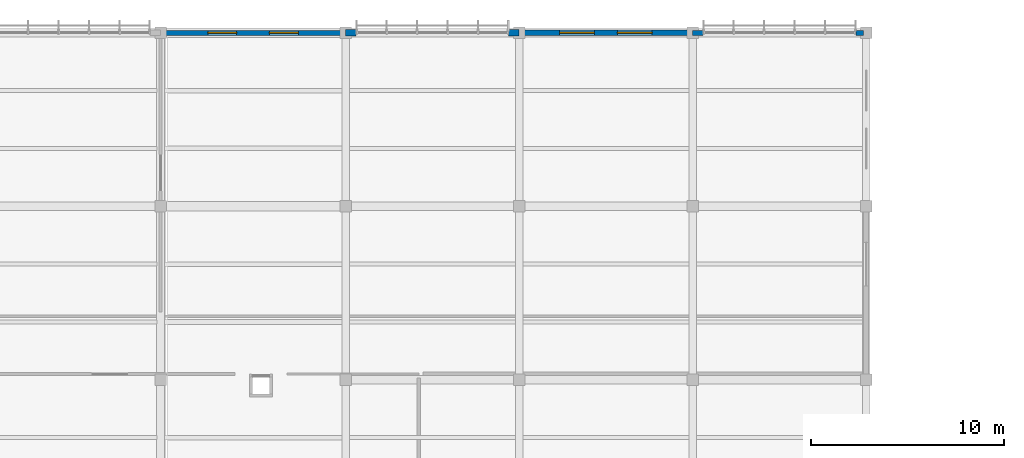
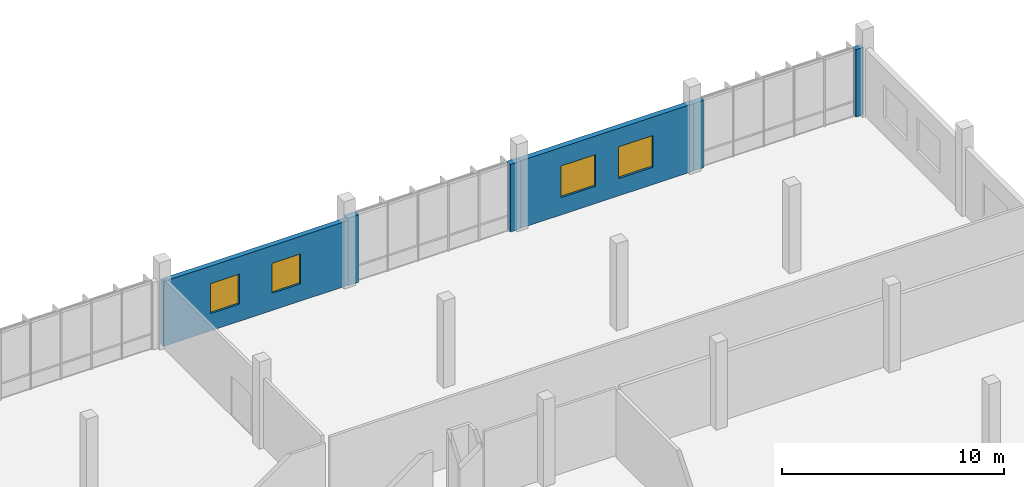
# One storey, part 162 of 177: 6 walls, 4 windows, 4 openings.
"""IFC4 building model written with IfcOpenShell, lengths in metres."""

import ifcopenshell
import ifcopenshell.guid

model = None  # the IFC model being written
_history = None  # IfcOwnerHistory: only IFC2X3 demands one
_inside = {}  # id of a spatial element -> (the spatial element, [elements in it])
_under = {}  # id of a project, library or spatial element -> (it, [spatial elements below it])
_declared = {}  # id of a project -> (the project, [libraries it declares])
_typed = {}  # id of a type object -> (the type object, [elements of that type])
_made_of = {}  # id of a material, layer set ... -> (it, [elements and type objects made of it])


def new_model(schema):
    """Start an empty IFC model of exactly this schema.

    Asked for "IFC4X3", IfcOpenShell would pick the latest addendum, in which some entities
    have other attributes; the version numbers below select the first issue.
    IFC2X3 requires an IfcOwnerHistory on every rooted entity: one is made here for all.
    """
    global model, _history
    if schema == "IFC4X3":
        model = ifcopenshell.file(schema_version=(4, 3, 0, 0))
    else:
        model = ifcopenshell.file(schema=schema)
    _inside.clear()
    _under.clear()
    _declared.clear()
    _typed.clear()
    _made_of.clear()
    _history = None
    if model.schema == "IFC2X3":
        org = make("IfcOrganization", Name="unknown")
        user = make(
            "IfcPersonAndOrganization",
            ThePerson=make("IfcPerson", FamilyName="unknown"),
            TheOrganization=org,
        )
        app = make(
            "IfcApplication",
            ApplicationDeveloper=org,
            Version="unknown",
            ApplicationFullName="unknown",
            ApplicationIdentifier="unknown",
        )
        _history = make(
            "IfcOwnerHistory",
            OwningUser=user,
            OwningApplication=app,
            ChangeAction="ADDED",
            CreationDate=0,
        )
    return model


def make(cls, **values):
    """One entity of the class cls with the attributes given. An attribute that is None is left unset."""
    return model.create_entity(
        cls, **{name: value for name, value in values.items() if value is not None}
    )


def rooted(cls, **values):
    """An entity with a GlobalId (a new one), such as an element, a storey or a relation."""
    return make(cls, GlobalId=ifcopenshell.guid.new(), OwnerHistory=_history, **values)


def si_unit(unit_type, name, prefix=None):
    """IfcSIUnit, for example si_unit("LENGTHUNIT", "METRE", prefix="MILLI")."""
    return make("IfcSIUnit", UnitType=unit_type, Prefix=prefix, Name=name)


def assignment(units):
    """IfcUnitAssignment: the units of a project."""
    return None if units is None else make("IfcUnitAssignment", Units=units)


def point(xyz):
    """IfcCartesianPoint."""
    return None if xyz is None else make("IfcCartesianPoint", Coordinates=xyz)


def direction(xyz):
    """IfcDirection."""
    return None if xyz is None else make("IfcDirection", DirectionRatios=xyz)


def frame(location, z_axis=None, x_axis=None):
    """IfcAxis2Placement3D, a coordinate frame: its origin and axes. An axis left out is left unset."""
    return make(
        "IfcAxis2Placement3D",
        Location=point(location),
        Axis=direction(z_axis),
        RefDirection=direction(x_axis),
    )


def frame_2d(location, x_axis=None):
    """IfcAxis2Placement2D, a coordinate frame in the plane: its origin and x axis."""
    return make(
        "IfcAxis2Placement2D", Location=point(location), RefDirection=direction(x_axis)
    )


def origin():
    """The frame at (0, 0, 0) with its axes left unset."""
    return frame((0.0, 0.0, 0.0))


def place(relative_to, where):
    """IfcLocalPlacement: puts the frame where relative to a parent placement (None: the world)."""
    return make(
        "IfcLocalPlacement", PlacementRelTo=relative_to, RelativePlacement=where
    )


def context(
    kind, dimensions, precision=None, world=None, true_north=None, identifier=None
):
    """IfcGeometricRepresentationContext, for example the 3D "Model" context."""
    return make(
        "IfcGeometricRepresentationContext",
        ContextIdentifier=identifier,
        ContextType=kind,
        CoordinateSpaceDimension=dimensions,
        Precision=precision,
        WorldCoordinateSystem=world,
        TrueNorth=true_north,
    )


def subcontext(parent, identifier, kind, view, scale=None):
    """IfcGeometricRepresentationSubContext, for example "Body" below "Model"."""
    return make(
        "IfcGeometricRepresentationSubContext",
        ContextIdentifier=identifier,
        ContextType=kind,
        ParentContext=parent,
        TargetScale=scale,
        TargetView=view,
    )


def project(units=None, contexts=None):
    """IfcProject with its units and contexts."""
    return rooted(
        "IfcProject",
        Name="project",
        RepresentationContexts=contexts,
        UnitsInContext=assignment(units),
    )


def spatial(cls, under=None, at=None, **own):
    """A site, building, storey or space (cls), placed at a placement, below another one or the project."""
    s = rooted(cls, ObjectPlacement=at, **own)
    if under is not None:
        _under.setdefault(under.id(), (under, []))[1].append(s)
    return s


def profile(cls, at=None, kind="AREA", **sizes):
    """A parametric profile (cls). Its sizes go by their IFC names, for example OverallWidth=200.0."""
    return make(cls, ProfileType=kind, Position=at, **sizes)


def rectangle(**sizes):
    """IfcRectangleProfileDef."""
    return profile("IfcRectangleProfileDef", **sizes)


def extrude(swept, where, along, depth):
    """IfcExtrudedAreaSolid: the profile swept, set in the frame where, extruded along a direction by depth."""
    return make(
        "IfcExtrudedAreaSolid",
        SweptArea=swept,
        Position=where,
        ExtrudedDirection=direction(along),
        Depth=depth,
    )


def shape(context_of_items, identifier, shape_type, items):
    """IfcShapeRepresentation: the items that make up one representation, for example the "Body"."""
    return make(
        "IfcShapeRepresentation",
        ContextOfItems=context_of_items,
        RepresentationIdentifier=identifier,
        RepresentationType=shape_type,
        Items=items,
    )


def material(Name=None, Category=None):
    """IfcMaterial."""
    return make("IfcMaterial", Name=Name, Category=Category)


def layer(
    of_material, thickness, ventilated=None, Name=None, Category=None, Priority=None
):
    """IfcMaterialLayer: one layer of a wall or slab, of a material (None: an air gap)."""
    return make(
        "IfcMaterialLayer",
        Material=of_material,
        LayerThickness=thickness,
        IsVentilated=ventilated,
        Name=Name,
        Category=Category,
        Priority=Priority,
    )


def layer_set(layers, Name=None):
    """IfcMaterialLayerSet."""
    return make("IfcMaterialLayerSet", MaterialLayers=layers, LayerSetName=Name)


def made_of(thing, what):
    """Note that an element or type object is made of a material, layer set ...; save() writes the relation."""
    if what is not None:
        _made_of.setdefault(what.id(), (what, []))[1].append(thing)
    return thing


def type_object(cls, material=None, **own):
    """A type object (cls), such as IfcWallType, which elements share."""
    return made_of(rooted(cls, **own), material)


def element(
    cls,
    number,
    at=None,
    inside=None,
    cuts=None,
    type_object=None,
    material=None,
    context=None,
    identifier="Body",
    shape_type=None,
    held_by="IfcProductDefinitionShape",
    body=None,
    shapes=None,
    **own,
):
    """One element of the class cls, such as IfcWall. Its Tag is "e" and its number.

    at: its placement. inside: the storey or other place that contains it. cuts: it is an
    opening in that element (IfcRelVoidsElement). A single representation is given by context,
    identifier, shape_type and body (its items); several are given by shapes. held_by: the class
    of the entity that holds the representations. save() writes the other relations.
    """
    e = rooted(cls, Tag="e%d" % number, ObjectPlacement=at, **own)
    if body is not None:
        shapes = [shape(context, identifier, shape_type, body)]
    if shapes is not None:
        e.Representation = make(held_by, Representations=shapes)
    if inside is not None:
        _inside.setdefault(inside.id(), (inside, []))[1].append(e)
    if cuts is not None:
        rooted(
            "IfcRelVoidsElement", RelatingBuildingElement=cuts, RelatedOpeningElement=e
        )
    if type_object is not None:
        _typed.setdefault(type_object.id(), (type_object, []))[1].append(e)
    return made_of(e, material)


def fill(opening, filler):
    """IfcRelFillsElement: the door or window that sits in an opening."""
    return rooted(
        "IfcRelFillsElement",
        RelatingOpeningElement=opening,
        RelatedBuildingElement=filler,
    )


def aggregate(whole, parts):
    """IfcRelAggregates: a whole, such as a stair, and the parts it consists of."""
    return rooted("IfcRelAggregates", RelatingObject=whole, RelatedObjects=parts)


def save(model, path):
    """Write the relations noted so far, then the file.

    IfcRelAggregates (storeys below a building ...), IfcRelContainedInSpatialStructure (elements
    in a storey), IfcRelDefinesByType, IfcRelAssociatesMaterial and IfcRelDeclares: one each for
    every whole, place, type object, material and project.
    """
    for whole, parts in _under.values():
        aggregate(whole, parts)
    for where, things in _inside.values():
        rooted(
            "IfcRelContainedInSpatialStructure",
            RelatedElements=things,
            RelatingStructure=where,
        )
    for kind, things in _typed.values():
        rooted("IfcRelDefinesByType", RelatedObjects=things, RelatingType=kind)
    for what, things in _made_of.values():
        rooted("IfcRelAssociatesMaterial", RelatedObjects=things, RelatingMaterial=what)
    for by, libraries in _declared.values():
        rooted("IfcRelDeclares", RelatingContext=by, RelatedDefinitions=libraries)
    model.write(path)


model = new_model("IFC4")

# Units and contexts
model_context = context("Model", 3, precision=1e-05, world=origin(), true_north=direction((0.0, 1.0)))
body_context = subcontext(model_context, "Body", "Model", "MODEL_VIEW")
ifc_project = project(units=[si_unit("LENGTHUNIT", "METRE"), si_unit("AREAUNIT", "SQUARE_METRE"), si_unit("VOLUMEUNIT", "CUBIC_METRE"), si_unit("PLANEANGLEUNIT", "RADIAN"), si_unit("MASSUNIT", "GRAM", prefix="KILO")], contexts=[model_context])

# Site, building, storey
site_placement = place(None, origin())
site = spatial("IfcSite", under=ifc_project, at=site_placement, CompositionType="ELEMENT")
building_placement = place(site_placement, origin())
building = spatial("IfcBuilding", under=site, at=building_placement, Name="Chiffa Square Polytechnic", CompositionType="ELEMENT")
storey_placement = place(building_placement, frame((0.0, 0.0, 4.800048828125)))
storey = spatial("IfcBuildingStorey", under=building, at=storey_placement, Name="L01", CompositionType="ELEMENT", Elevation=4.800048828125)

# Walls
ifc_material_1 = material(Name="Precast concrete C40/50", Category="concrete")
ifc_layer_1 = layer(ifc_material_1, 0.260009765625, Name="Precast concrete C40/50")
ifc_layer_set_1 = layer_set([ifc_layer_1], Name="Precast concrete C40/50")
wall_type_1 = type_object("IfcWallType", Name="WL-EXT-PC260", PredefinedType="SOLIDWALL", material=ifc_layer_set_1)
wall_1_placement = place(storey_placement, frame((148.05810546875, 130.800048828125, 0.0), z_axis=(0.0, 0.0, 1.0), x_axis=(-1.0, 0.0, 0.0)))
element("IfcWall", 1, at=wall_1_placement, inside=storey, type_object=wall_type_1, Name="Facade column pier V5-L01-0272L", PredefinedType="SOLIDWALL", context=body_context, shape_type="SweptSolid", body=[
    extrude(rectangle(XDim=0.398193359375, YDim=0.260009765625, at=frame_2d((0.19921875, 0.0))), origin(), (0.0, 0.0, 1.0), 3.71484375),
])
wall_2_placement = place(storey_placement, frame((139.739990234375, 130.800048828125, 0.0), z_axis=(0.0, 0.0, 1.0), x_axis=(-1.0, 0.0, 0.0)))
element("IfcWall", 2, at=wall_2_placement, inside=storey, type_object=wall_type_1, Name="Facade column pier V5-L01-0272R", PredefinedType="SOLIDWALL", context=body_context, shape_type="SweptSolid", body=[
    extrude(rectangle(XDim=0.5400390625, YDim=0.260009765625, at=frame_2d((0.27001953125, 0.0))), origin(), (0.0, 0.0, 1.0), 3.71484375),
])

# Wall, openings, windows
wall_3_placement = place(storey_placement, frame((121.199951171875, 130.800048828125, 0.0), z_axis=(0.0, 0.0, 1.0), x_axis=(-1.0, 0.0, 0.0)))
wall_3 = element("IfcWall", 3, at=wall_3_placement, inside=storey, type_object=wall_type_1, Name="Exterior wall WE-V5-L01-0275", PredefinedType="SOLIDWALL", context=body_context, shape_type="SweptSolid", body=[
    extrude(rectangle(XDim=9.599853515625, YDim=0.260009765625, at=frame_2d((4.7998046875, 0.0))), origin(), (0.0, 0.0, 1.0), 3.56494140625),
])
opening_1_placement = place(wall_3_placement, frame((2.449951171875, 0.0, 0.949951171875)))
opening_1 = element("IfcOpeningElement", 4, at=opening_1_placement, cuts=wall_3, Name="Opening W-07", PredefinedType="OPENING", context=body_context, shape_type="SweptSolid", body=[
    extrude(rectangle(XDim=1.5, YDim=1.64990234375, at=frame_2d((0.75, 0.824951171875))), frame((0.0, 0.14013671875, 0.0), z_axis=(0.0, -1.0, 0.0), x_axis=(1.0, 0.0, 0.0)), (0.0, 0.0, 1.0), 0.280029296875),
])
opening_2_placement = place(wall_3_placement, frame((5.64990234375, 0.0, 0.949951171875)))
opening_2 = element("IfcOpeningElement", 5, at=opening_2_placement, cuts=wall_3, Name="Opening W-07", PredefinedType="OPENING", context=body_context, shape_type="SweptSolid", body=[
    extrude(rectangle(XDim=1.5, YDim=1.64990234375, at=frame_2d((0.75, 0.824951171875))), frame((0.0, 0.14013671875, 0.0), z_axis=(0.0, -1.0, 0.0), x_axis=(1.0, 0.0, 0.0)), (0.0, 0.0, 1.0), 0.280029296875),
])
ifc_material_2 = material(Name="Double glazing in thermally broken aluminium frame", Category="aluminium")
window_type_1 = type_object("IfcWindowType", Name="WIN-LAB-1500X1650", PartitioningType="DOUBLE_PANEL_VERTICAL", PredefinedType="WINDOW", material=ifc_material_2)
window_1_placement = place(opening_1_placement, origin())
window_1 = element("IfcWindow", 6, at=window_1_placement, inside=storey, type_object=window_type_1, Name="Facade window WN-L01-0167", OverallHeight=1.64990234375, OverallWidth=1.5, PartitioningType="DOUBLE_PANEL_VERTICAL", PredefinedType="WINDOW", context=body_context, shape_type="SweptSolid", body=[
    extrude(rectangle(XDim=1.5, YDim=1.64990234375, at=frame_2d((0.75, 0.824951171875))), frame((0.0, 0.030029296875, 0.0), z_axis=(0.0, -1.0, 0.0), x_axis=(1.0, 0.0, 0.0)), (0.0, 0.0, 1.0), 0.06005859375),
])
fill(opening_1, window_1)
window_2_placement = place(opening_2_placement, origin())
window_2 = element("IfcWindow", 7, at=window_2_placement, inside=storey, type_object=window_type_1, Name="Facade window WN-L01-0168", OverallHeight=1.64990234375, OverallWidth=1.5, PartitioningType="DOUBLE_PANEL_VERTICAL", PredefinedType="WINDOW", context=body_context, shape_type="SweptSolid", body=[
    extrude(rectangle(XDim=1.5, YDim=1.64990234375, at=frame_2d((0.75, 0.824951171875))), frame((0.0, 0.030029296875, 0.0), z_axis=(0.0, -1.0, 0.0), x_axis=(1.0, 0.0, 0.0)), (0.0, 0.0, 1.0), 0.06005859375),
])
fill(opening_2, window_2)

ifc_layer_2 = layer(ifc_material_1, 0.280029296875, Name="Precast concrete C40/50")
ifc_layer_set_2 = layer_set([ifc_layer_2], Name="Precast concrete C40/50")
wall_type_2 = type_object("IfcWallType", Name="WL-EXT-PC280", PredefinedType="SOLIDWALL", material=ifc_layer_set_2)
wall_4_placement = place(storey_placement, frame((139.199951171875, 130.800048828125, 0.0), z_axis=(0.0, 0.0, 1.0), x_axis=(-1.0, 0.0, 0.0)))
wall_4 = element("IfcWall", 8, at=wall_4_placement, inside=storey, type_object=wall_type_2, Name="Exterior wall WE-V5-L01-0273", PredefinedType="SOLIDWALL", context=body_context, shape_type="SweptSolid", body=[
    extrude(rectangle(XDim=9.0, YDim=0.280029296875, at=frame_2d((4.5, 0.0))), origin(), (0.0, 0.0, 1.0), 3.71484375),
])
opening_3_placement = place(wall_4_placement, frame((2.10009765625, 0.0, 0.949951171875)))
opening_3 = element("IfcOpeningElement", 9, at=opening_3_placement, cuts=wall_4, Name="Opening W-05", PredefinedType="OPENING", context=body_context, shape_type="SweptSolid", body=[
    extrude(rectangle(XDim=1.800048828125, YDim=1.75, at=frame_2d((0.89990234375, 0.875))), frame((0.0, 0.14990234375, 0.0), z_axis=(0.0, -1.0, 0.0), x_axis=(1.0, 0.0, 0.0)), (0.0, 0.0, 1.0), 0.300048828125),
])
opening_4_placement = place(wall_4_placement, frame((5.10009765625, 0.0, 0.949951171875)))
opening_4 = element("IfcOpeningElement", 10, at=opening_4_placement, cuts=wall_4, Name="Opening W-05", PredefinedType="OPENING", context=body_context, shape_type="SweptSolid", body=[
    extrude(rectangle(XDim=1.800048828125, YDim=1.75, at=frame_2d((0.89990234375, 0.875))), frame((0.0, 0.14990234375, 0.0), z_axis=(0.0, -1.0, 0.0), x_axis=(1.0, 0.0, 0.0)), (0.0, 0.0, 1.0), 0.300048828125),
])
window_type_2 = type_object("IfcWindowType", Name="WIN-LAB-1800X1750", PartitioningType="DOUBLE_PANEL_VERTICAL", PredefinedType="WINDOW", material=ifc_material_2)
window_3_placement = place(opening_3_placement, origin())
window_3 = element("IfcWindow", 11, at=window_3_placement, inside=storey, type_object=window_type_2, Name="Facade window WN-L01-0165", OverallHeight=1.75, OverallWidth=1.800048828125, PartitioningType="DOUBLE_PANEL_VERTICAL", PredefinedType="WINDOW", context=body_context, shape_type="SweptSolid", body=[
    extrude(rectangle(XDim=1.800048828125, YDim=1.75, at=frame_2d((0.89990234375, 0.875))), frame((0.0, 0.030029296875, 0.0), z_axis=(0.0, -1.0, 0.0), x_axis=(1.0, 0.0, 0.0)), (0.0, 0.0, 1.0), 0.06005859375),
])
fill(opening_3, window_3)
window_4_placement = place(opening_4_placement, origin())
window_4 = element("IfcWindow", 12, at=window_4_placement, inside=storey, type_object=window_type_2, Name="Facade window WN-L01-0166", OverallHeight=1.75, OverallWidth=1.800048828125, PartitioningType="DOUBLE_PANEL_VERTICAL", PredefinedType="WINDOW", context=body_context, shape_type="SweptSolid", body=[
    extrude(rectangle(XDim=1.800048828125, YDim=1.75, at=frame_2d((0.89990234375, 0.875))), frame((0.0, 0.030029296875, 0.0), z_axis=(0.0, -1.0, 0.0), x_axis=(1.0, 0.0, 0.0)), (0.0, 0.0, 1.0), 0.06005859375),
])
fill(opening_4, window_4)

# Walls
ifc_layer_3 = layer(ifc_material_1, 0.320068359375, Name="Precast concrete C40/50")
ifc_layer_set_3 = layer_set([ifc_layer_3], Name="Precast concrete C40/50")
wall_type_3 = type_object("IfcWallType", Name="WL-EXT-PC320", PredefinedType="SOLIDWALL", material=ifc_layer_set_3)
for number, where, z_axis, x_axis, name in (
    (13, (130.199951171875, 130.800048828125, 0.0), (0.0, 0.0, 1.0), (-1.0, 0.0, 0.0), "Facade column pier V5-L01-0274L"),
    (14, (121.739990234375, 130.800048828125, 0.0), (0.0, 0.0, 1.0), (-1.0, 0.0, 0.0), "Facade column pier V5-L01-0274R"),
):
    element("IfcWall", number, at=place(storey_placement, frame(where, z_axis=z_axis, x_axis=x_axis)), inside=storey, type_object=wall_type_3, Name=name, PredefinedType="SOLIDWALL", context=body_context, shape_type="SweptSolid", body=[
        extrude(rectangle(XDim=0.5400390625, YDim=0.320068359375, at=frame_2d((0.27001953125, 0.0))), origin(), (0.0, 0.0, 1.0), 3.71484375),
    ])

save(model, "model.ifc")
